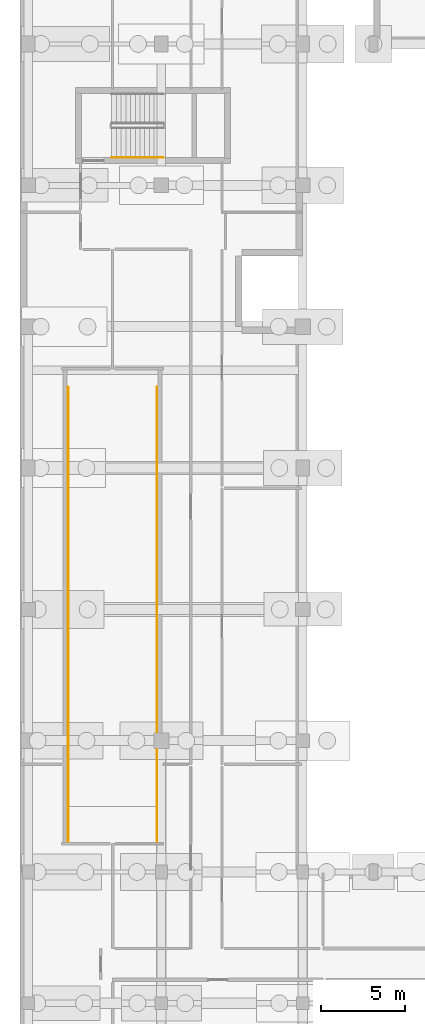
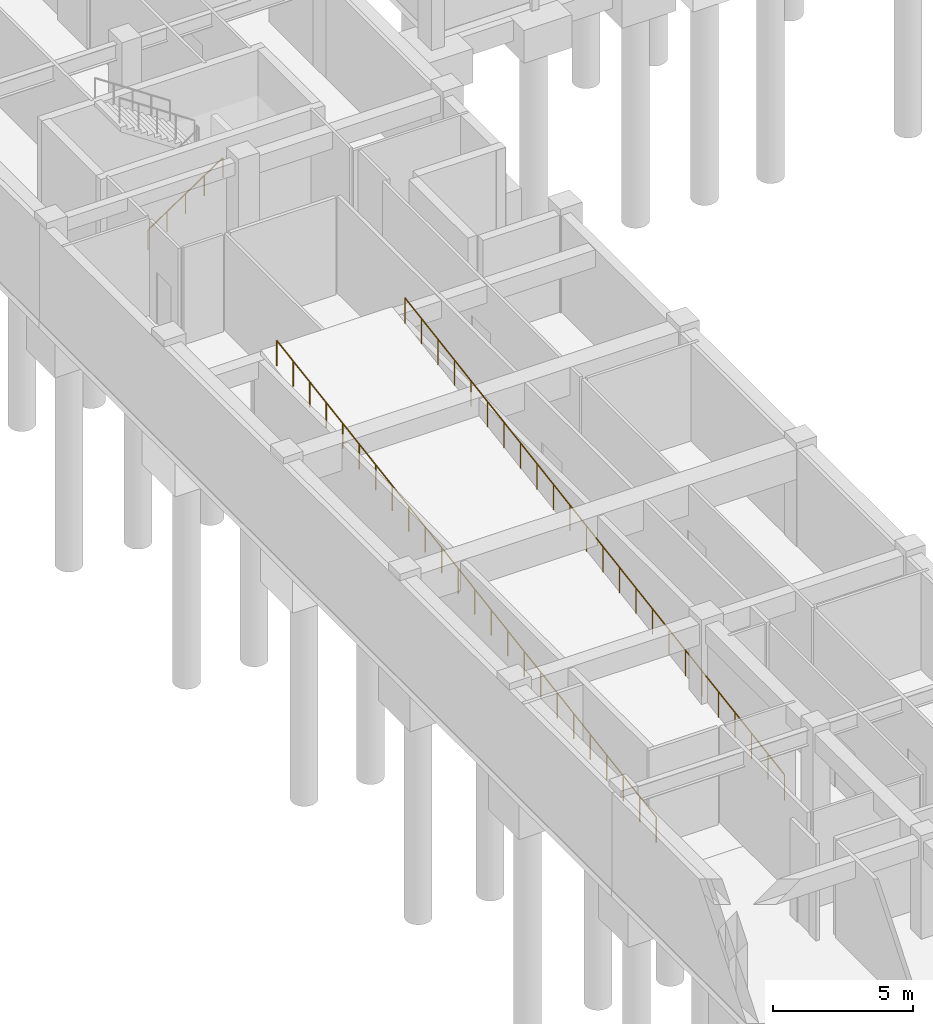
# One storey, part 36 of 42: 3 railings.
"""IFC4 building model written with IfcOpenShell, lengths in metres."""

from ifc_helpers import new_model, si_unit, direction, frame, origin, origin_2d, place, context, subcontext, project, spatial, circle, extrude, material, type_object, element, save


model = new_model("IFC4")

# Units and contexts
model_context = context("Model", 3, precision=1e-05, world=origin(), true_north=direction((0.0, 1.0)))
body_context = subcontext(model_context, "Body", "Model", "MODEL_VIEW")
ifc_project = project(units=[si_unit("LENGTHUNIT", "METRE"), si_unit("AREAUNIT", "SQUARE_METRE"), si_unit("VOLUMEUNIT", "CUBIC_METRE"), si_unit("PLANEANGLEUNIT", "RADIAN"), si_unit("MASSUNIT", "GRAM", prefix="KILO")], contexts=[model_context])

# Site, building, storey
site_placement = place(None, origin())
site = spatial("IfcSite", under=ifc_project, at=site_placement, CompositionType="ELEMENT")
building_placement = place(site_placement, origin())
building = spatial("IfcBuilding", under=site, at=building_placement, Name="Quendrovan Civic Courthouse", CompositionType="ELEMENT")
storey_placement = place(building_placement, frame((0.0, 0.0, -4.5)))
storey = spatial("IfcBuildingStorey", under=building, at=storey_placement, Name="B1", CompositionType="ELEMENT", Elevation=-4.5)

# Railings
ifc_material = material(Name="Bronze anodised aluminium", Category="aluminium")
railing_type_1 = type_object("IfcRailingType", Name="RL-EXT-GUARD1100", PredefinedType="GUARDRAIL", material=ifc_material)
railing_1_placement = place(storey_placement, frame((2.860107421875, 17.35009765625, 0.0)))
element("IfcRailing", 1, at=railing_1_placement, inside=storey, type_object=railing_type_1, Name="Vehicle Ramp R1 Guardrail W", PredefinedType="GUARDRAIL", context=body_context, shape_type="SweptSolid", body=[
    extrude(circle(Radius=0.02392578125, at=origin_2d()), frame((0.0, 0.0, 1.09619140625), z_axis=(0.0, 0.987371524813, 0.158421816641), x_axis=(-1.0, 0.0, 0.0)), (0.0, 0.0, 1.0), 27.395751953125),
    extrude(circle(Radius=0.02099609375, at=origin_2d()), origin(), (0.0, 0.0, 1.0), 1.072021484375),
    extrude(circle(Radius=0.02099609375, at=origin_2d()), frame((0.0, 1.176025390625, 0.188720703125)), (0.0, 0.0, 1.0), 1.072021484375),
    extrude(circle(Radius=0.02099609375, at=origin_2d()), frame((0.0, 2.35205078125, 0.37744140625)), (0.0, 0.0, 1.0), 1.072021484375),
    extrude(circle(Radius=0.02099609375, at=origin_2d()), frame((0.0, 3.5283203125, 0.566162109375)), (0.0, 0.0, 1.0), 1.072021484375),
    extrude(circle(Radius=0.02099609375, at=origin_2d()), frame((0.0, 4.704345703125, 0.7548828125)), (0.0, 0.0, 1.0), 1.072021484375),
    extrude(circle(Radius=0.02099609375, at=origin_2d()), frame((0.0, 5.88037109375, 0.943603515625)), (0.0, 0.0, 1.0), 1.072021484375),
    extrude(circle(Radius=0.02099609375, at=origin_2d()), frame((0.0, 7.056396484375, 1.132080078125)), (0.0, 0.0, 1.0), 1.072021484375),
    extrude(circle(Radius=0.02099609375, at=origin_2d()), frame((0.0, 8.232666015625, 1.32080078125)), (0.0, 0.0, 1.0), 1.072021484375),
    extrude(circle(Radius=0.02099609375, at=origin_2d()), frame((0.0, 9.40869140625, 1.509521484375)), (0.0, 0.0, 1.0), 1.072021484375),
    extrude(circle(Radius=0.02099609375, at=origin_2d()), frame((0.0, 10.584716796875, 1.6982421875)), (0.0, 0.0, 1.0), 1.072021484375),
    extrude(circle(Radius=0.02099609375, at=origin_2d()), frame((0.0, 11.7607421875, 1.886962890625)), (0.0, 0.0, 1.0), 1.072021484375),
    extrude(circle(Radius=0.02099609375, at=origin_2d()), frame((0.0, 12.936767578125, 2.07568359375)), (0.0, 0.0, 1.0), 1.072021484375),
    extrude(circle(Radius=0.02099609375, at=origin_2d()), frame((0.0, 14.113037109375, 2.264404296875)), (0.0, 0.0, 1.0), 1.072021484375),
    extrude(circle(Radius=0.02099609375, at=origin_2d()), frame((0.0, 15.2890625, 2.453125)), (0.0, 0.0, 1.0), 1.072021484375),
    extrude(circle(Radius=0.02099609375, at=origin_2d()), frame((0.0, 16.465087890625, 2.641845703125)), (0.0, 0.0, 1.0), 1.072021484375),
    extrude(circle(Radius=0.02099609375, at=origin_2d()), frame((0.0, 17.64111328125, 2.83056640625)), (0.0, 0.0, 1.0), 1.072021484375),
    extrude(circle(Radius=0.02099609375, at=origin_2d()), frame((0.0, 18.817138671875, 3.019287109375)), (0.0, 0.0, 1.0), 1.072021484375),
    extrude(circle(Radius=0.02099609375, at=origin_2d()), frame((0.0, 19.993408203125, 3.2080078125)), (0.0, 0.0, 1.0), 1.072021484375),
    extrude(circle(Radius=0.02099609375, at=origin_2d()), frame((0.0, 21.16943359375, 3.396484375)), (0.0, 0.0, 1.0), 1.072021484375),
    extrude(circle(Radius=0.02099609375, at=origin_2d()), frame((0.0, 22.345458984375, 3.585205078125)), (0.0, 0.0, 1.0), 1.072021484375),
    extrude(circle(Radius=0.02099609375, at=origin_2d()), frame((0.0, 23.521484375, 3.77392578125)), (0.0, 0.0, 1.0), 1.072021484375),
    extrude(circle(Radius=0.02099609375, at=origin_2d()), frame((0.0, 24.69775390625, 3.962646484375)), (0.0, 0.0, 1.0), 1.072021484375),
    extrude(circle(Radius=0.02099609375, at=origin_2d()), frame((0.0, 25.873779296875, 4.1513671875)), (0.0, 0.0, 1.0), 1.072021484375),
    extrude(circle(Radius=0.02099609375, at=origin_2d()), frame((0.0, 27.0498046875, 4.340087890625)), (0.0, 0.0, 1.0), 1.072021484375),
])
railing_2_placement = place(storey_placement, frame((8.139892578125, 17.35009765625, 0.0)))
element("IfcRailing", 2, at=railing_2_placement, inside=storey, type_object=railing_type_1, Name="Vehicle Ramp R1 Guardrail E", PredefinedType="GUARDRAIL", context=body_context, shape_type="SweptSolid", body=[
    extrude(circle(Radius=0.02392578125, at=origin_2d()), frame((0.0, 0.0, 1.09619140625), z_axis=(0.0, 0.987371524813, 0.158421816641), x_axis=(-1.0, 0.0, 0.0)), (0.0, 0.0, 1.0), 27.395751953125),
    extrude(circle(Radius=0.02099609375, at=origin_2d()), origin(), (0.0, 0.0, 1.0), 1.072021484375),
    extrude(circle(Radius=0.02099609375, at=origin_2d()), frame((0.0, 1.176025390625, 0.188720703125)), (0.0, 0.0, 1.0), 1.072021484375),
    extrude(circle(Radius=0.02099609375, at=origin_2d()), frame((0.0, 2.35205078125, 0.37744140625)), (0.0, 0.0, 1.0), 1.072021484375),
    extrude(circle(Radius=0.02099609375, at=origin_2d()), frame((0.0, 3.5283203125, 0.566162109375)), (0.0, 0.0, 1.0), 1.072021484375),
    extrude(circle(Radius=0.02099609375, at=origin_2d()), frame((0.0, 4.704345703125, 0.7548828125)), (0.0, 0.0, 1.0), 1.072021484375),
    extrude(circle(Radius=0.02099609375, at=origin_2d()), frame((0.0, 5.88037109375, 0.943603515625)), (0.0, 0.0, 1.0), 1.072021484375),
    extrude(circle(Radius=0.02099609375, at=origin_2d()), frame((0.0, 7.056396484375, 1.132080078125)), (0.0, 0.0, 1.0), 1.072021484375),
    extrude(circle(Radius=0.02099609375, at=origin_2d()), frame((0.0, 8.232666015625, 1.32080078125)), (0.0, 0.0, 1.0), 1.072021484375),
    extrude(circle(Radius=0.02099609375, at=origin_2d()), frame((0.0, 9.40869140625, 1.509521484375)), (0.0, 0.0, 1.0), 1.072021484375),
    extrude(circle(Radius=0.02099609375, at=origin_2d()), frame((0.0, 10.584716796875, 1.6982421875)), (0.0, 0.0, 1.0), 1.072021484375),
    extrude(circle(Radius=0.02099609375, at=origin_2d()), frame((0.0, 11.7607421875, 1.886962890625)), (0.0, 0.0, 1.0), 1.072021484375),
    extrude(circle(Radius=0.02099609375, at=origin_2d()), frame((0.0, 12.936767578125, 2.07568359375)), (0.0, 0.0, 1.0), 1.072021484375),
    extrude(circle(Radius=0.02099609375, at=origin_2d()), frame((0.0, 14.113037109375, 2.264404296875)), (0.0, 0.0, 1.0), 1.072021484375),
    extrude(circle(Radius=0.02099609375, at=origin_2d()), frame((0.0, 15.2890625, 2.453125)), (0.0, 0.0, 1.0), 1.072021484375),
    extrude(circle(Radius=0.02099609375, at=origin_2d()), frame((0.0, 16.465087890625, 2.641845703125)), (0.0, 0.0, 1.0), 1.072021484375),
    extrude(circle(Radius=0.02099609375, at=origin_2d()), frame((0.0, 17.64111328125, 2.83056640625)), (0.0, 0.0, 1.0), 1.072021484375),
    extrude(circle(Radius=0.02099609375, at=origin_2d()), frame((0.0, 18.817138671875, 3.019287109375)), (0.0, 0.0, 1.0), 1.072021484375),
    extrude(circle(Radius=0.02099609375, at=origin_2d()), frame((0.0, 19.993408203125, 3.2080078125)), (0.0, 0.0, 1.0), 1.072021484375),
    extrude(circle(Radius=0.02099609375, at=origin_2d()), frame((0.0, 21.16943359375, 3.396484375)), (0.0, 0.0, 1.0), 1.072021484375),
    extrude(circle(Radius=0.02099609375, at=origin_2d()), frame((0.0, 22.345458984375, 3.585205078125)), (0.0, 0.0, 1.0), 1.072021484375),
    extrude(circle(Radius=0.02099609375, at=origin_2d()), frame((0.0, 23.521484375, 3.77392578125)), (0.0, 0.0, 1.0), 1.072021484375),
    extrude(circle(Radius=0.02099609375, at=origin_2d()), frame((0.0, 24.69775390625, 3.962646484375)), (0.0, 0.0, 1.0), 1.072021484375),
    extrude(circle(Radius=0.02099609375, at=origin_2d()), frame((0.0, 25.873779296875, 4.1513671875)), (0.0, 0.0, 1.0), 1.072021484375),
    extrude(circle(Radius=0.02099609375, at=origin_2d()), frame((0.0, 27.0498046875, 4.340087890625)), (0.0, 0.0, 1.0), 1.072021484375),
])
railing_type_2 = type_object("IfcRailingType", Name="RL-STR-HAND900", PredefinedType="HANDRAIL", material=ifc_material)
railing_3_placement = place(storey_placement, frame((5.449951171875, 58.050048828125, 0.1875)))
element("IfcRailing", 3, at=railing_3_placement, inside=storey, type_object=railing_type_2, Name="B1 ST4 stair handrail 1", PredefinedType="HANDRAIL", context=body_context, shape_type="SweptSolid", body=[
    extrude(circle(Radius=0.02392578125, at=origin_2d()), frame((0.0, 0.0, 0.8759765625), z_axis=(0.830913701846, 0.0, 0.55640131208), x_axis=(0.0, 1.0, 0.0)), (0.0, 0.0, 1.0), 3.706787109375),
    extrude(circle(Radius=0.02099609375, at=origin_2d()), origin(), (0.0, 0.0, 1.0), 0.851806640625),
    extrude(circle(Radius=0.02099609375, at=origin_2d()), frame((0.77001953125, 0.0, 0.515625)), (0.0, 0.0, 1.0), 0.851806640625),
    extrude(circle(Radius=0.02099609375, at=origin_2d()), frame((1.5400390625, 0.0, 1.03125)), (0.0, 0.0, 1.0), 0.851806640625),
    extrude(circle(Radius=0.02099609375, at=origin_2d()), frame((2.31005859375, 0.0, 1.546875)), (0.0, 0.0, 1.0), 0.851806640625),
    extrude(circle(Radius=0.02099609375, at=origin_2d()), frame((3.080078125, 0.0, 2.0625)), (0.0, 0.0, 1.0), 0.851806640625),
])

save(model, "model.ifc")
